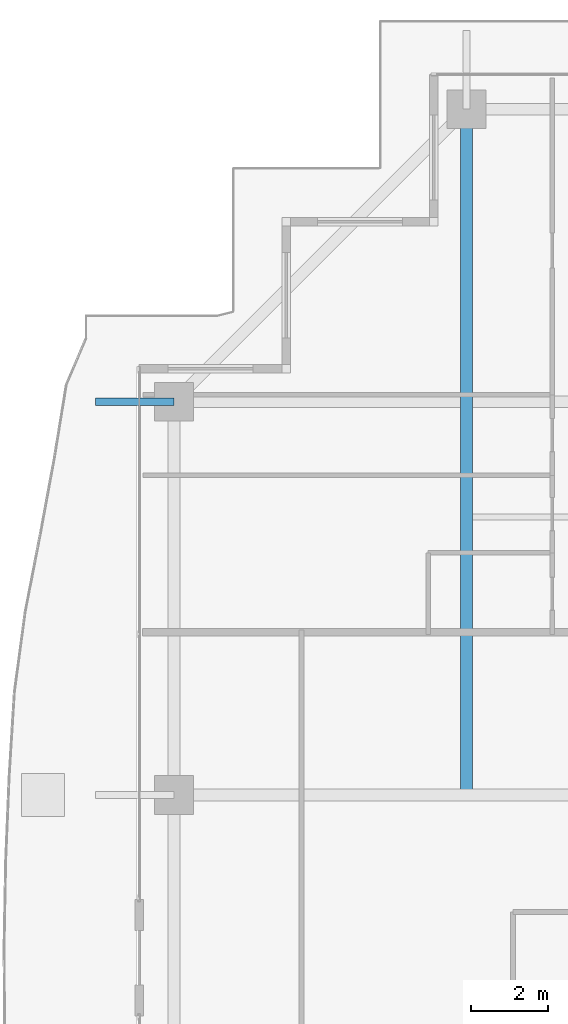
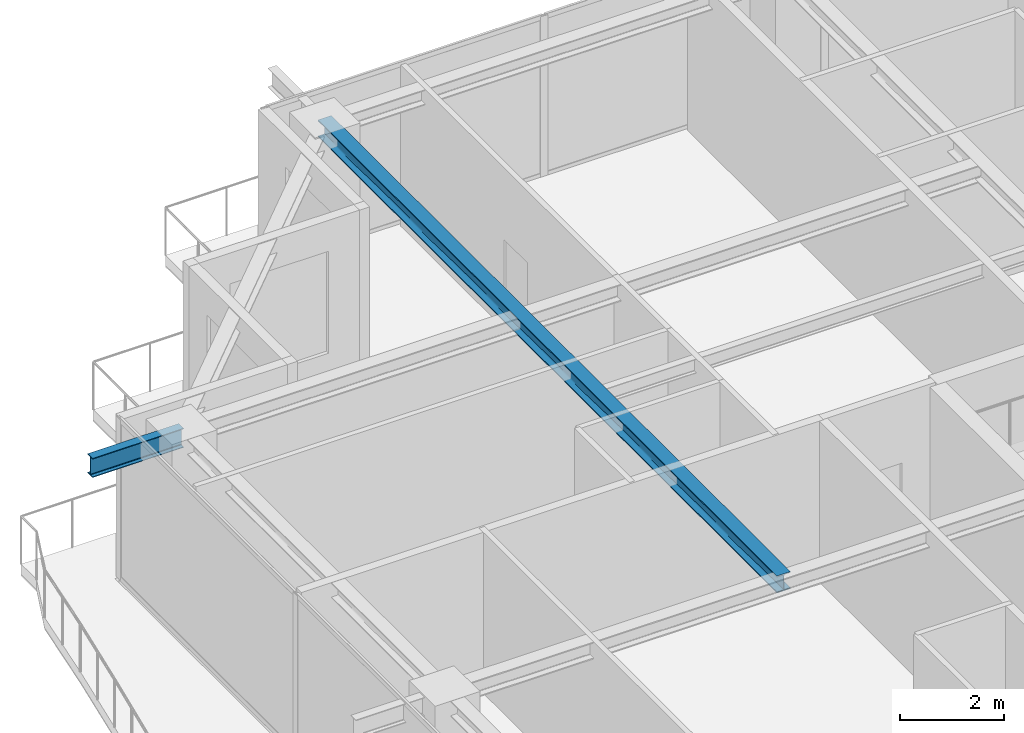
# One storey, part 18 of 38: 2 beams.
"""IFC4 building model written with IfcOpenShell, lengths in metres."""

from ifc_helpers import new_model, si_unit, direction, frame, origin, origin_2d, place, context, subcontext, project, spatial, i_section, extrude, source, transform, mapped, material, material_profile, profile_set, type_object, element, save


model = new_model("IFC4")

# Units and contexts
model_context = context("Model", 3, precision=1e-05, world=origin(), true_north=direction((0.0, 1.0)))
body_context = subcontext(model_context, "Body", "Model", "MODEL_VIEW")
ifc_project = project(units=[si_unit("LENGTHUNIT", "METRE"), si_unit("AREAUNIT", "SQUARE_METRE"), si_unit("VOLUMEUNIT", "CUBIC_METRE"), si_unit("PLANEANGLEUNIT", "RADIAN"), si_unit("MASSUNIT", "GRAM", prefix="KILO")], contexts=[model_context])

# Site, building, storey
site_placement = place(None, origin())
site = spatial("IfcSite", under=ifc_project, at=site_placement, CompositionType="ELEMENT")
building_placement = place(site_placement, origin())
building = spatial("IfcBuilding", under=site, at=building_placement, Name="Serunith Strait Residences", CompositionType="ELEMENT")
storey_placement = place(building_placement, frame((0.0, 0.0, 321.800048828125)))
storey = spatial("IfcBuildingStorey", under=building, at=storey_placement, Name="L80", CompositionType="ELEMENT", Elevation=321.800048828125)

# Beams
ifc_material = material(Name="Steel S355J2", Category="steel")
ifc_material_profile_1 = material_profile(ifc_material, i_section(OverallWidth=0.300048828125, OverallDepth=0.39990234375, WebThickness=0.013427734375, FlangeThickness=0.02392578125, FilletRadius=0.027099609375, at=origin_2d()), Name="HEB 400")
ifc_profile_set_1 = profile_set([ifc_material_profile_1], Name="Steel S355J2")
beam_type_1 = type_object("IfcBeamType", Name="BM-HEB400", PredefinedType="BEAM", material=ifc_profile_set_1)
shared_shape_1 = source(origin(), body_context, "Body", "SweptSolid", [
    extrude(i_section(OverallWidth=0.300048828125, OverallDepth=0.39990234375, WebThickness=0.013427734375, FlangeThickness=0.02392578125, FilletRadius=0.027099609375, at=origin_2d()), origin(), (0.0, 0.0, 1.0), 17.7001953125),
])
beam_1_placement = place(storey_placement, frame((17.64990234375, 29.39990234375, 3.5869140625), z_axis=(0.0, 1.0, 0.0), x_axis=(-1.0, 0.0, 0.0)))
element("IfcBeam", 1, at=beam_1_placement, inside=storey, type_object=beam_type_1, Name="L80 Orthogonal Corner Girder TC-N1", PredefinedType="BEAM", context=body_context, shape_type="MappedRepresentation", body=[
    mapped(shared_shape_1, transform((0.0, 0.0, 0.0), scale=1.0)),
])
ifc_material_profile_2 = material_profile(ifc_material, i_section(OverallWidth=0.18994140625, OverallDepth=0.449951171875, WebThickness=0.009521484375, FlangeThickness=0.0146484375, FilletRadius=0.02099609375, at=origin_2d()), Name="IPE 450")
ifc_profile_set_2 = profile_set([ifc_material_profile_2], Name="Steel S355J2")
beam_type_2 = type_object("IfcBeamType", Name="BM-IPE450", PredefinedType="JOIST", material=ifc_profile_set_2)
shared_shape_2 = source(origin(), body_context, "Body", "SweptSolid", [
    extrude(i_section(OverallWidth=0.18994140625, OverallDepth=0.449951171875, WebThickness=0.009521484375, FlangeThickness=0.0146484375, FilletRadius=0.02099609375, at=origin_2d()), origin(), (0.0, 0.0, 1.0), 2.030029296875),
])
beam_2_placement = place(storey_placement, frame((10.10009765625, 39.550048828125, 3.531982421875), z_axis=(-1.0, 0.0, 0.0), x_axis=(0.0, -1.0, 0.0)))
element("IfcBeam", 2, at=beam_2_placement, inside=storey, type_object=beam_type_2, Name="L81 Cantilevered Balcony Rib TC-W4", PredefinedType="JOIST", context=body_context, shape_type="MappedRepresentation", body=[
    mapped(shared_shape_2, transform((0.0, 0.0, 0.0), scale=1.0)),
])

save(model, "model.ifc")
